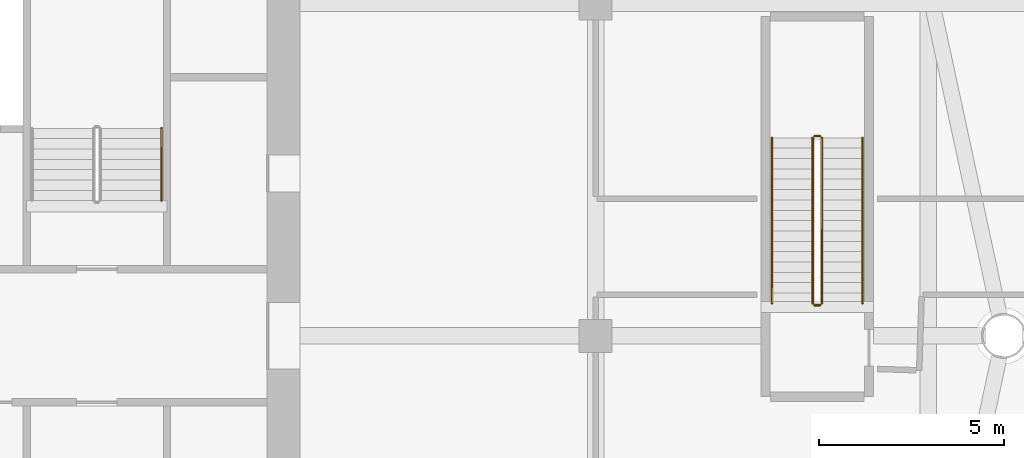
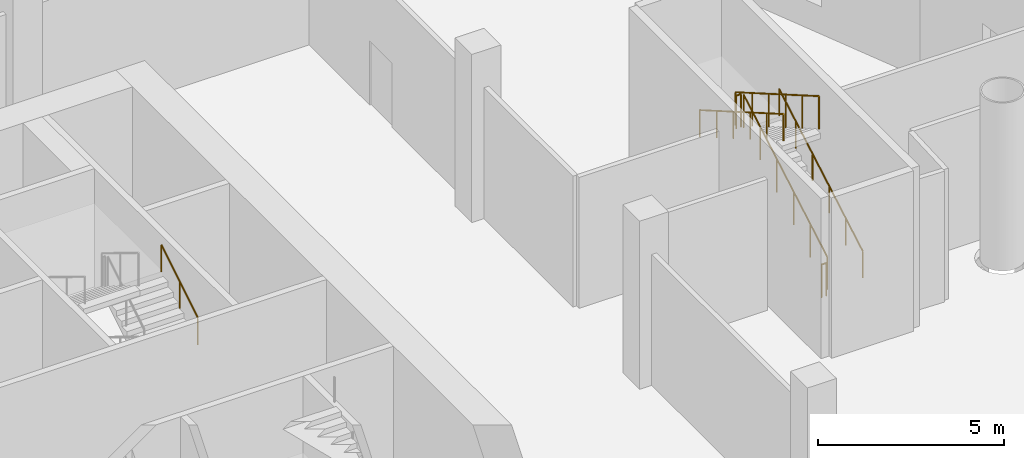
# One storey, part 22 of 23: 7 railings.
"""IFC4 building model written with IfcOpenShell, lengths in metres."""

import ifcopenshell
import ifcopenshell.guid

model = None  # the IFC model being written
_history = None  # IfcOwnerHistory: only IFC2X3 demands one
_inside = {}  # id of a spatial element -> (the spatial element, [elements in it])
_under = {}  # id of a project, library or spatial element -> (it, [spatial elements below it])
_declared = {}  # id of a project -> (the project, [libraries it declares])
_typed = {}  # id of a type object -> (the type object, [elements of that type])
_made_of = {}  # id of a material, layer set ... -> (it, [elements and type objects made of it])


def new_model(schema):
    """Start an empty IFC model of exactly this schema.

    Asked for "IFC4X3", IfcOpenShell would pick the latest addendum, in which some entities
    have other attributes; the version numbers below select the first issue.
    IFC2X3 requires an IfcOwnerHistory on every rooted entity: one is made here for all.
    """
    global model, _history
    if schema == "IFC4X3":
        model = ifcopenshell.file(schema_version=(4, 3, 0, 0))
    else:
        model = ifcopenshell.file(schema=schema)
    _inside.clear()
    _under.clear()
    _declared.clear()
    _typed.clear()
    _made_of.clear()
    _history = None
    if model.schema == "IFC2X3":
        org = make("IfcOrganization", Name="unknown")
        user = make(
            "IfcPersonAndOrganization",
            ThePerson=make("IfcPerson", FamilyName="unknown"),
            TheOrganization=org,
        )
        app = make(
            "IfcApplication",
            ApplicationDeveloper=org,
            Version="unknown",
            ApplicationFullName="unknown",
            ApplicationIdentifier="unknown",
        )
        _history = make(
            "IfcOwnerHistory",
            OwningUser=user,
            OwningApplication=app,
            ChangeAction="ADDED",
            CreationDate=0,
        )
    return model


def make(cls, **values):
    """One entity of the class cls with the attributes given. An attribute that is None is left unset."""
    return model.create_entity(
        cls, **{name: value for name, value in values.items() if value is not None}
    )


def rooted(cls, **values):
    """An entity with a GlobalId (a new one), such as an element, a storey or a relation."""
    return make(cls, GlobalId=ifcopenshell.guid.new(), OwnerHistory=_history, **values)


def si_unit(unit_type, name, prefix=None):
    """IfcSIUnit, for example si_unit("LENGTHUNIT", "METRE", prefix="MILLI")."""
    return make("IfcSIUnit", UnitType=unit_type, Prefix=prefix, Name=name)


def assignment(units):
    """IfcUnitAssignment: the units of a project."""
    return None if units is None else make("IfcUnitAssignment", Units=units)


def point(xyz):
    """IfcCartesianPoint."""
    return None if xyz is None else make("IfcCartesianPoint", Coordinates=xyz)


def direction(xyz):
    """IfcDirection."""
    return None if xyz is None else make("IfcDirection", DirectionRatios=xyz)


def frame(location, z_axis=None, x_axis=None):
    """IfcAxis2Placement3D, a coordinate frame: its origin and axes. An axis left out is left unset."""
    return make(
        "IfcAxis2Placement3D",
        Location=point(location),
        Axis=direction(z_axis),
        RefDirection=direction(x_axis),
    )


def frame_2d(location, x_axis=None):
    """IfcAxis2Placement2D, a coordinate frame in the plane: its origin and x axis."""
    return make(
        "IfcAxis2Placement2D", Location=point(location), RefDirection=direction(x_axis)
    )


def origin():
    """The frame at (0, 0, 0) with its axes left unset."""
    return frame((0.0, 0.0, 0.0))


def origin_2d():
    """The frame at (0, 0) in the plane with its x axis left unset."""
    return frame_2d((0.0, 0.0))


def place(relative_to, where):
    """IfcLocalPlacement: puts the frame where relative to a parent placement (None: the world)."""
    return make(
        "IfcLocalPlacement", PlacementRelTo=relative_to, RelativePlacement=where
    )


def context(
    kind, dimensions, precision=None, world=None, true_north=None, identifier=None
):
    """IfcGeometricRepresentationContext, for example the 3D "Model" context."""
    return make(
        "IfcGeometricRepresentationContext",
        ContextIdentifier=identifier,
        ContextType=kind,
        CoordinateSpaceDimension=dimensions,
        Precision=precision,
        WorldCoordinateSystem=world,
        TrueNorth=true_north,
    )


def subcontext(parent, identifier, kind, view, scale=None):
    """IfcGeometricRepresentationSubContext, for example "Body" below "Model"."""
    return make(
        "IfcGeometricRepresentationSubContext",
        ContextIdentifier=identifier,
        ContextType=kind,
        ParentContext=parent,
        TargetScale=scale,
        TargetView=view,
    )


def project(units=None, contexts=None):
    """IfcProject with its units and contexts."""
    return rooted(
        "IfcProject",
        Name="project",
        RepresentationContexts=contexts,
        UnitsInContext=assignment(units),
    )


def spatial(cls, under=None, at=None, **own):
    """A site, building, storey or space (cls), placed at a placement, below another one or the project."""
    s = rooted(cls, ObjectPlacement=at, **own)
    if under is not None:
        _under.setdefault(under.id(), (under, []))[1].append(s)
    return s


def profile(cls, at=None, kind="AREA", **sizes):
    """A parametric profile (cls). Its sizes go by their IFC names, for example OverallWidth=200.0."""
    return make(cls, ProfileType=kind, Position=at, **sizes)


def circle(**sizes):
    """IfcCircleProfileDef."""
    return profile("IfcCircleProfileDef", **sizes)


def extrude(swept, where, along, depth):
    """IfcExtrudedAreaSolid: the profile swept, set in the frame where, extruded along a direction by depth."""
    return make(
        "IfcExtrudedAreaSolid",
        SweptArea=swept,
        Position=where,
        ExtrudedDirection=direction(along),
        Depth=depth,
    )


def shape(context_of_items, identifier, shape_type, items):
    """IfcShapeRepresentation: the items that make up one representation, for example the "Body"."""
    return make(
        "IfcShapeRepresentation",
        ContextOfItems=context_of_items,
        RepresentationIdentifier=identifier,
        RepresentationType=shape_type,
        Items=items,
    )


def material(Name=None, Category=None):
    """IfcMaterial."""
    return make("IfcMaterial", Name=Name, Category=Category)


def made_of(thing, what):
    """Note that an element or type object is made of a material, layer set ...; save() writes the relation."""
    if what is not None:
        _made_of.setdefault(what.id(), (what, []))[1].append(thing)
    return thing


def type_object(cls, material=None, **own):
    """A type object (cls), such as IfcWallType, which elements share."""
    return made_of(rooted(cls, **own), material)


def element(
    cls,
    number,
    at=None,
    inside=None,
    cuts=None,
    type_object=None,
    material=None,
    context=None,
    identifier="Body",
    shape_type=None,
    held_by="IfcProductDefinitionShape",
    body=None,
    shapes=None,
    **own,
):
    """One element of the class cls, such as IfcWall. Its Tag is "e" and its number.

    at: its placement. inside: the storey or other place that contains it. cuts: it is an
    opening in that element (IfcRelVoidsElement). A single representation is given by context,
    identifier, shape_type and body (its items); several are given by shapes. held_by: the class
    of the entity that holds the representations. save() writes the other relations.
    """
    e = rooted(cls, Tag="e%d" % number, ObjectPlacement=at, **own)
    if body is not None:
        shapes = [shape(context, identifier, shape_type, body)]
    if shapes is not None:
        e.Representation = make(held_by, Representations=shapes)
    if inside is not None:
        _inside.setdefault(inside.id(), (inside, []))[1].append(e)
    if cuts is not None:
        rooted(
            "IfcRelVoidsElement", RelatingBuildingElement=cuts, RelatedOpeningElement=e
        )
    if type_object is not None:
        _typed.setdefault(type_object.id(), (type_object, []))[1].append(e)
    return made_of(e, material)


def aggregate(whole, parts):
    """IfcRelAggregates: a whole, such as a stair, and the parts it consists of."""
    return rooted("IfcRelAggregates", RelatingObject=whole, RelatedObjects=parts)


def save(model, path):
    """Write the relations noted so far, then the file.

    IfcRelAggregates (storeys below a building ...), IfcRelContainedInSpatialStructure (elements
    in a storey), IfcRelDefinesByType, IfcRelAssociatesMaterial and IfcRelDeclares: one each for
    every whole, place, type object, material and project.
    """
    for whole, parts in _under.values():
        aggregate(whole, parts)
    for where, things in _inside.values():
        rooted(
            "IfcRelContainedInSpatialStructure",
            RelatedElements=things,
            RelatingStructure=where,
        )
    for kind, things in _typed.values():
        rooted("IfcRelDefinesByType", RelatedObjects=things, RelatingType=kind)
    for what, things in _made_of.values():
        rooted("IfcRelAssociatesMaterial", RelatedObjects=things, RelatingMaterial=what)
    for by, libraries in _declared.values():
        rooted("IfcRelDeclares", RelatingContext=by, RelatedDefinitions=libraries)
    model.write(path)


model = new_model("IFC4")

# Units and contexts
model_context = context("Model", 3, precision=1e-05, world=origin(), true_north=direction((0.0, 1.0)))
body_context = subcontext(model_context, "Body", "Model", "MODEL_VIEW")
ifc_project = project(units=[si_unit("LENGTHUNIT", "METRE"), si_unit("AREAUNIT", "SQUARE_METRE"), si_unit("VOLUMEUNIT", "CUBIC_METRE"), si_unit("PLANEANGLEUNIT", "RADIAN"), si_unit("MASSUNIT", "GRAM", prefix="KILO")], contexts=[model_context])

# Site, building, storey
site_placement = place(None, origin())
site = spatial("IfcSite", under=ifc_project, at=site_placement, CompositionType="ELEMENT")
building_placement = place(site_placement, origin())
building = spatial("IfcBuilding", under=site, at=building_placement, Name="Tarsis Ring Headquarters", CompositionType="ELEMENT")
storey_placement = place(building_placement, frame((0.0, 0.0, 14.0)))
storey = spatial("IfcBuildingStorey", under=building, at=storey_placement, Name="L02", CompositionType="ELEMENT", Elevation=14.0)

# Railings
ifc_material_1 = material(Name="Steel S355", Category="steel")
railing_type_1 = type_object("IfcRailingType", Name="Core stair handrail 900", PredefinedType="HANDRAIL", material=ifc_material_1)
railing_1_placement = place(storey_placement, frame((6.25, 3.659912109375, 2.921875)))
element("IfcRailing", 1, at=railing_1_placement, inside=storey, type_object=railing_type_1, Name="L02 ST2 stair handrail 3", PredefinedType="HANDRAIL", context=body_context, shape_type="SweptSolid", body=[
    extrude(circle(Radius=0.02392578125, at=origin_2d()), frame((0.0, 0.0, 0.8759765625), z_axis=(0.0, 0.852270028233, 0.523102092307), x_axis=(-1.0, 0.0, 0.0)), (0.0, 0.0, 1.0), 2.300048828125),
    extrude(circle(Radius=0.02099609375, at=origin_2d()), origin(), (0.0, 0.0, 1.0), 0.851806640625),
    extrude(circle(Radius=0.02099609375, at=origin_2d()), frame((0.0, 0.97998046875, 0.6015625)), (0.0, 0.0, 1.0), 0.851806640625),
    extrude(circle(Radius=0.02099609375, at=origin_2d()), frame((0.0, 1.960205078125, 1.203125)), (0.0, 0.0, 1.0), 0.851806640625),
])
ifc_material_2 = material(Name="Stainless steel", Category="steel")
railing_type_2 = type_object("IfcRailingType", Name="PO-RL-G", PredefinedType="GUARDRAIL", material=ifc_material_2)
railing_2_placement = place(storey_placement, frame((24.125, 0.8798828125, 0.161865234375)))
element("IfcRailing", 2, at=railing_2_placement, inside=storey, type_object=railing_type_2, Name="L02 PS1 stair guard 1", PredefinedType="GUARDRAIL", context=body_context, shape_type="SweptSolid", body=[
    extrude(circle(Radius=0.02392578125, at=origin_2d()), frame((0.0, 0.0, 1.076171875), z_axis=(0.0, 0.865901861999, 0.500213919626), x_axis=(-1.0, 0.0, 0.0)), (0.0, 0.0, 1.0), 5.174072265625),
    extrude(circle(Radius=0.02099609375, at=origin_2d()), origin(), (0.0, 0.0, 1.0), 1.052001953125),
    extrude(circle(Radius=0.02099609375, at=origin_2d()), frame((0.0, 0.89599609375, 0.517578125)), (0.0, 0.0, 1.0), 1.052001953125),
    extrude(circle(Radius=0.02099609375, at=origin_2d()), frame((0.0, 1.7919921875, 1.03515625)), (0.0, 0.0, 1.0), 1.052001953125),
    extrude(circle(Radius=0.02099609375, at=origin_2d()), frame((0.0, 2.688232421875, 1.552978515625)), (0.0, 0.0, 1.0), 1.052001953125),
    extrude(circle(Radius=0.02099609375, at=origin_2d()), frame((0.0, 3.584228515625, 2.070556640625)), (0.0, 0.0, 1.0), 1.052001953125),
    extrude(circle(Radius=0.02099609375, at=origin_2d()), frame((0.0, 4.480224609375, 2.588134765625)), (0.0, 0.0, 1.0), 1.052001953125),
])
railing_3_placement = place(storey_placement, frame((24.074951171875, 5.409912109375, 2.75)))
element("IfcRailing", 3, at=railing_3_placement, inside=storey, type_object=railing_type_2, Name="L02 PS1 stair guard 2", PredefinedType="GUARDRAIL", context=body_context, shape_type="SweptSolid", body=[
    extrude(circle(Radius=0.02392578125, at=origin_2d()), frame((0.0, 0.0, 1.076171875), z_axis=(-1.0, 0.0, 0.0), x_axis=(0.0, -1.0, 0.0)), (0.0, 0.0, 1.0), 0.14990234375),
    extrude(circle(Radius=0.02099609375, at=origin_2d()), origin(), (0.0, 0.0, 1.0), 1.052001953125),
    extrude(circle(Radius=0.02099609375, at=origin_2d()), frame((-0.14990234375, 0.0, 0.0)), (0.0, 0.0, 1.0), 1.052001953125),
])
railing_4_placement = place(storey_placement, frame((23.875, 5.360107421875, 2.911865234375)))
element("IfcRailing", 4, at=railing_4_placement, inside=storey, type_object=railing_type_2, Name="L02 PS1 stair guard 3", PredefinedType="GUARDRAIL", context=body_context, shape_type="SweptSolid", body=[
    extrude(circle(Radius=0.02392578125, at=origin_2d()), frame((0.0, 0.0, 1.076171875), z_axis=(0.0, -0.865901861999, 0.500213919626), x_axis=(1.0, 0.0, 0.0)), (0.0, 0.0, 1.0), 5.174072265625),
    extrude(circle(Radius=0.02099609375, at=origin_2d()), origin(), (0.0, 0.0, 1.0), 1.052001953125),
    extrude(circle(Radius=0.02099609375, at=origin_2d()), frame((0.0, -0.89599609375, 0.517578125)), (0.0, 0.0, 1.0), 1.052001953125),
    extrude(circle(Radius=0.02099609375, at=origin_2d()), frame((0.0, -1.7919921875, 1.03515625)), (0.0, 0.0, 1.0), 1.052001953125),
    extrude(circle(Radius=0.02099609375, at=origin_2d()), frame((0.0, -2.688232421875, 1.552978515625)), (0.0, 0.0, 1.0), 1.052001953125),
    extrude(circle(Radius=0.02099609375, at=origin_2d()), frame((0.0, -3.584228515625, 2.070556640625)), (0.0, 0.0, 1.0), 1.052001953125),
    extrude(circle(Radius=0.02099609375, at=origin_2d()), frame((0.0, -4.480224609375, 2.588134765625)), (0.0, 0.0, 1.0), 1.052001953125),
])
railing_5_placement = place(storey_placement, frame((24.074951171875, 0.830078125, 0.0)))
element("IfcRailing", 5, at=railing_5_placement, inside=storey, type_object=railing_type_2, Name="L02 PS1 stair guard 4", PredefinedType="GUARDRAIL", context=body_context, shape_type="SweptSolid", body=[
    extrude(circle(Radius=0.02392578125, at=origin_2d()), frame((0.0, 0.0, 1.076171875), z_axis=(-1.0, 0.0, 0.0), x_axis=(0.0, -1.0, 0.0)), (0.0, 0.0, 1.0), 0.14990234375),
    extrude(circle(Radius=0.02099609375, at=origin_2d()), origin(), (0.0, 0.0, 1.0), 1.052001953125),
    extrude(circle(Radius=0.02099609375, at=origin_2d()), frame((-0.14990234375, 0.0, 0.0)), (0.0, 0.0, 1.0), 1.052001953125),
])
railing_type_3 = type_object("IfcRailingType", Name="PO-RL-H", PredefinedType="HANDRAIL", material=ifc_material_2)
railing_6_placement = place(storey_placement, frame((25.22509765625, 0.8798828125, 0.161865234375)))
element("IfcRailing", 6, at=railing_6_placement, inside=storey, type_object=railing_type_3, Name="L02 PS1 stair handrail 1", PredefinedType="HANDRAIL", context=body_context, shape_type="SweptSolid", body=[
    extrude(circle(Radius=0.02392578125, at=origin_2d()), frame((0.0, 0.0, 0.8759765625), z_axis=(0.0, 0.865901861999, 0.500213919626), x_axis=(-1.0, 0.0, 0.0)), (0.0, 0.0, 1.0), 5.174072265625),
    extrude(circle(Radius=0.02099609375, at=origin_2d()), origin(), (0.0, 0.0, 1.0), 0.851806640625),
    extrude(circle(Radius=0.02099609375, at=origin_2d()), frame((0.0, 0.89599609375, 0.517578125)), (0.0, 0.0, 1.0), 0.851806640625),
    extrude(circle(Radius=0.02099609375, at=origin_2d()), frame((0.0, 1.7919921875, 1.03515625)), (0.0, 0.0, 1.0), 0.851806640625),
    extrude(circle(Radius=0.02099609375, at=origin_2d()), frame((0.0, 2.688232421875, 1.552978515625)), (0.0, 0.0, 1.0), 0.851806640625),
    extrude(circle(Radius=0.02099609375, at=origin_2d()), frame((0.0, 3.584228515625, 2.070556640625)), (0.0, 0.0, 1.0), 0.851806640625),
    extrude(circle(Radius=0.02099609375, at=origin_2d()), frame((0.0, 4.480224609375, 2.588134765625)), (0.0, 0.0, 1.0), 0.851806640625),
])
railing_7_placement = place(storey_placement, frame((22.77490234375, 5.360107421875, 2.911865234375)))
element("IfcRailing", 7, at=railing_7_placement, inside=storey, type_object=railing_type_3, Name="L02 PS1 stair handrail 2", PredefinedType="HANDRAIL", context=body_context, shape_type="SweptSolid", body=[
    extrude(circle(Radius=0.02392578125, at=origin_2d()), frame((0.0, 0.0, 0.8759765625), z_axis=(0.0, -0.865901861999, 0.500213919626), x_axis=(1.0, 0.0, 0.0)), (0.0, 0.0, 1.0), 5.174072265625),
    extrude(circle(Radius=0.02099609375, at=origin_2d()), origin(), (0.0, 0.0, 1.0), 0.851806640625),
    extrude(circle(Radius=0.02099609375, at=origin_2d()), frame((0.0, -0.89599609375, 0.517578125)), (0.0, 0.0, 1.0), 0.851806640625),
    extrude(circle(Radius=0.02099609375, at=origin_2d()), frame((0.0, -1.7919921875, 1.03515625)), (0.0, 0.0, 1.0), 0.851806640625),
    extrude(circle(Radius=0.02099609375, at=origin_2d()), frame((0.0, -2.688232421875, 1.552978515625)), (0.0, 0.0, 1.0), 0.851806640625),
    extrude(circle(Radius=0.02099609375, at=origin_2d()), frame((0.0, -3.584228515625, 2.070556640625)), (0.0, 0.0, 1.0), 0.851806640625),
    extrude(circle(Radius=0.02099609375, at=origin_2d()), frame((0.0, -4.480224609375, 2.588134765625)), (0.0, 0.0, 1.0), 0.851806640625),
])

save(model, "model.ifc")
